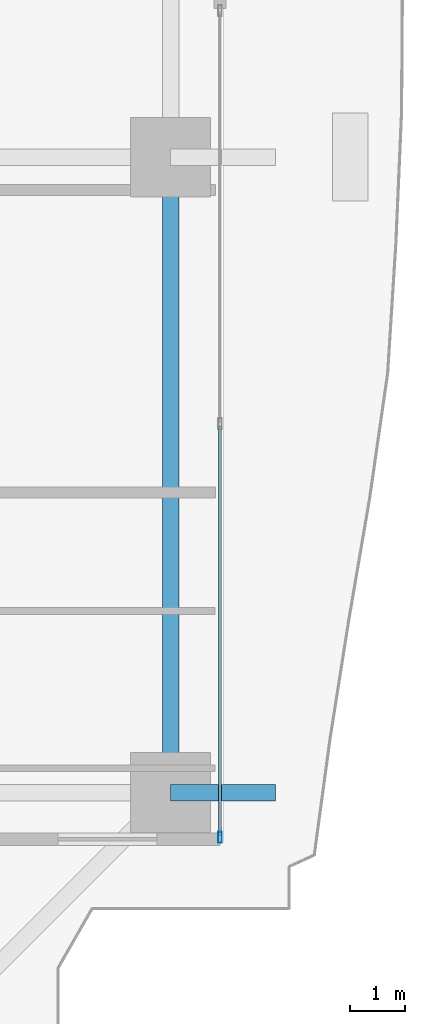
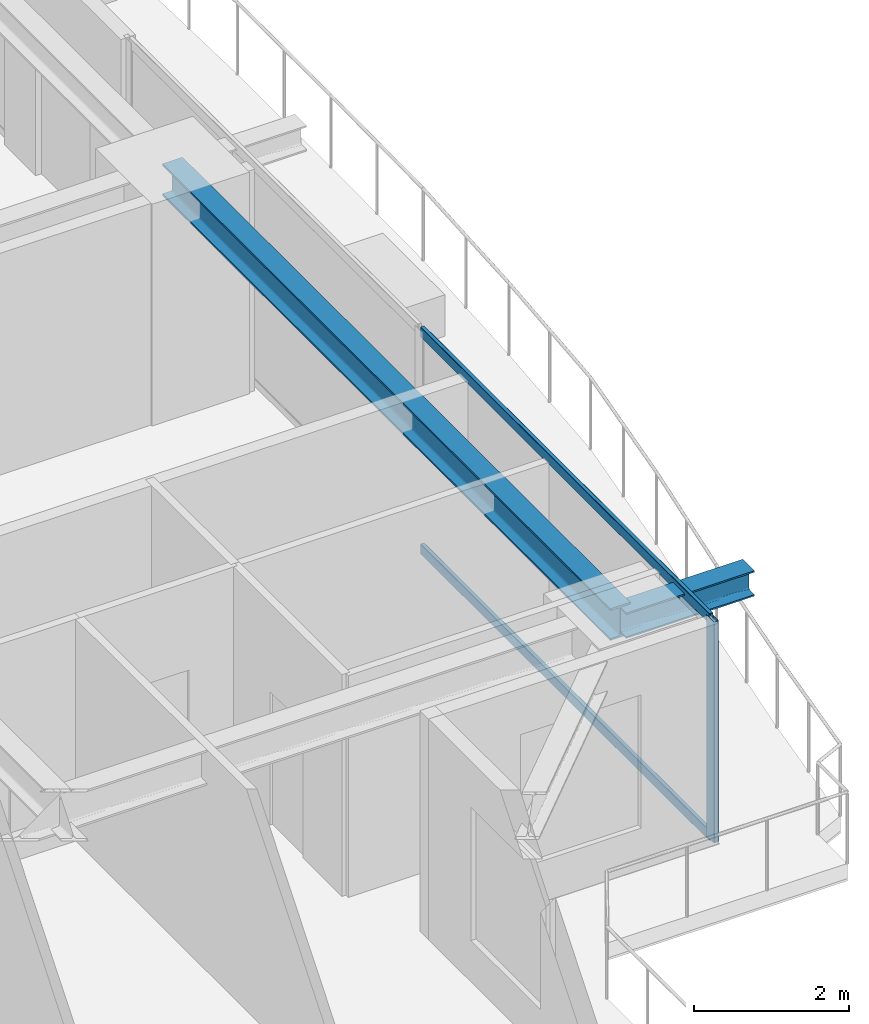
# One storey, part 12 of 38: 3 members, 2 beams, 1 element without a shape of its own.
"""IFC4 building model written with IfcOpenShell, lengths in metres."""

from ifc_helpers import new_model, si_unit, direction, frame, origin, origin_2d, place, context, subcontext, project, spatial, hollow_rectangle, i_section, extrude, source, transform, mapped, material, layer, layer_set, material_profile, profile_set, type_object, element, aggregate, save


model = new_model("IFC4")

# Units and contexts
model_context = context("Model", 3, precision=1e-05, world=origin(), true_north=direction((0.0, 1.0)))
body_context = subcontext(model_context, "Body", "Model", "MODEL_VIEW")
ifc_project = project(units=[si_unit("LENGTHUNIT", "METRE"), si_unit("AREAUNIT", "SQUARE_METRE"), si_unit("VOLUMEUNIT", "CUBIC_METRE"), si_unit("PLANEANGLEUNIT", "RADIAN"), si_unit("MASSUNIT", "GRAM", prefix="KILO")], contexts=[model_context])

# Site, building, storey
site_placement = place(None, origin())
site = spatial("IfcSite", under=ifc_project, at=site_placement, CompositionType="ELEMENT")
building_placement = place(site_placement, origin())
building = spatial("IfcBuilding", under=site, at=building_placement, Name="Serunith Strait Residences", CompositionType="ELEMENT")
storey_placement = place(building_placement, frame((0.0, 0.0, 67.949951171875)))
storey = spatial("IfcBuildingStorey", under=building, at=storey_placement, Name="L16", CompositionType="ELEMENT", Elevation=67.949951171875)

# Beams
ifc_material_1 = material(Name="Steel S355J2", Category="steel")
ifc_material_profile_1 = material_profile(ifc_material_1, i_section(OverallWidth=0.300048828125, OverallDepth=0.5, WebThickness=0.014404296875, FlangeThickness=0.028076171875, FilletRadius=0.027099609375, at=origin_2d()), Name="HEB 500")
ifc_profile_set_1 = profile_set([ifc_material_profile_1], Name="Steel S355J2")
beam_type_1 = type_object("IfcBeamType", Name="BM-HEB500", PredefinedType="BEAM", material=ifc_profile_set_1)
shared_shape_1 = source(origin(), body_context, "Body", "SweptSolid", [
    extrude(i_section(OverallWidth=0.300048828125, OverallDepth=0.5, WebThickness=0.014404296875, FlangeThickness=0.028076171875, FilletRadius=0.027099609375, at=origin_2d()), origin(), (0.0, 0.0, 1.0), 11.550048828125),
])
beam_1_placement = place(storey_placement, frame((57.89990234375, 9.449951171875, 3.237060546875), z_axis=(0.0, 1.0, 0.0), x_axis=(-1.0, 0.0, 0.0)))
element("IfcBeam", 1, at=beam_1_placement, inside=storey, type_object=beam_type_1, Name="L16 Perimeter Ring Beam 05", PredefinedType="BEAM", context=body_context, shape_type="MappedRepresentation", body=[
    mapped(shared_shape_1, transform((0.0, 0.0, 0.0), scale=1.0)),
])
ifc_material_profile_2 = material_profile(ifc_material_1, i_section(OverallWidth=0.300048828125, OverallDepth=0.39990234375, WebThickness=0.013427734375, FlangeThickness=0.02392578125, FilletRadius=0.027099609375, at=origin_2d()), Name="HEB 400")
ifc_profile_set_2 = profile_set([ifc_material_profile_2], Name="Steel S355J2")
beam_type_2 = type_object("IfcBeamType", Name="BM-HEB400", PredefinedType="BEAM", material=ifc_profile_set_2)
shared_shape_2 = source(origin(), body_context, "Body", "SweptSolid", [
    extrude(i_section(OverallWidth=0.300048828125, OverallDepth=0.39990234375, WebThickness=0.013427734375, FlangeThickness=0.02392578125, FilletRadius=0.027099609375, at=origin_2d()), origin(), (0.0, 0.0, 1.0), 1.91015625),
])
beam_2_placement = place(storey_placement, frame((57.89990234375, 9.449951171875, 3.257080078125), z_axis=(1.0, 0.0, 0.0), x_axis=(0.0, 1.0, 0.0)))
element("IfcBeam", 2, at=beam_2_placement, inside=storey, type_object=beam_type_2, Name="L17 Cantilevered Balcony Rib TC-E1", PredefinedType="BEAM", context=body_context, shape_type="MappedRepresentation", body=[
    mapped(shared_shape_2, transform((0.0, 0.0, 0.0), scale=1.0)),
])

# Curtain wall, members
ifc_material_2 = material(Name="Pale-Champagne Anodised Aluminium", Category="aluminium")
ifc_layer = layer(ifc_material_2, 0.199951171875, Name="Pale-Champagne Anodised Aluminium")
ifc_layer_set = layer_set([ifc_layer], Name="Pale-Champagne Anodised Aluminium")
curtain_wall_type = type_object("IfcCurtainWallType", Name="CW-SYS1", PredefinedType="NOTDEFINED", material=ifc_layer_set)
curtain_wall_placement = place(storey_placement, origin())
curtain_wall = element("IfcCurtainWall", 3, at=curtain_wall_placement, inside=storey, type_object=curtain_wall_type, Name="L16 E Unitised Fritted Curtain Wall", PredefinedType="NOTDEFINED")
ifc_material_profile_3 = material_profile(ifc_material_2, hollow_rectangle(XDim=0.070068359375, YDim=0.199951171875, WallThickness=0.00390625, InnerFilletRadius=0.006103515625, OuterFilletRadius=0.010009765625, at=origin_2d()), Name="ALU 200x70x4")
ifc_profile_set_3 = profile_set([ifc_material_profile_3], Name="Pale-Champagne Anodised Aluminium")
member_type_1 = type_object("IfcMemberType", Name="CW-SYS1-MULL", PredefinedType="MULLION", material=ifc_profile_set_3)
shared_shape_3 = source(origin(), body_context, "Body", "SweptSolid", [
    extrude(hollow_rectangle(XDim=0.070068359375, YDim=0.199951171875, WallThickness=0.00390625, InnerFilletRadius=0.006103515625, OuterFilletRadius=0.010009765625, at=origin_2d()), origin(), (0.0, 0.0, 1.0), 3.47509765625),
])
member_1_placement = place(storey_placement, frame((58.800048828125, 8.635009765625, 0.0), z_axis=(0.0, 0.0, 1.0), x_axis=(-1.0, 0.0, 0.0)))
member_1 = element("IfcMember", 4, at=member_1_placement, type_object=member_type_1, Name="CW-1 mullion 1", PredefinedType="MULLION", context=body_context, shape_type="MappedRepresentation", body=[
    mapped(shared_shape_3, transform((0.0, 0.0, 0.0), scale=1.0)),
])
ifc_material_profile_4 = material_profile(ifc_material_2, hollow_rectangle(XDim=0.06005859375, YDim=0.159912109375, WallThickness=0.00341796875, InnerFilletRadius=0.00537109375, OuterFilletRadius=0.0087890625, at=origin_2d()), Name="ALU 160x60x3.5")
ifc_profile_set_4 = profile_set([ifc_material_profile_4], Name="Pale-Champagne Anodised Aluminium")
member_type_2 = type_object("IfcMemberType", Name="CW-SYS1-TRAN", PredefinedType="USERDEFINED", material=ifc_profile_set_4)
shared_shape_4 = source(origin(), body_context, "Body", "SweptSolid", [
    extrude(hollow_rectangle(XDim=0.06005859375, YDim=0.159912109375, WallThickness=0.00341796875, InnerFilletRadius=0.00537109375, OuterFilletRadius=0.0087890625, at=origin_2d()), origin(), (0.0, 0.0, 1.0), 7.445068359375),
])
member_2_placement = place(storey_placement, frame((58.800048828125, 8.669921875, 0.030029296875), z_axis=(0.0, 1.0, 0.0), x_axis=(-1.0, 0.0, 0.0)))
member_2 = element("IfcMember", 5, at=member_2_placement, type_object=member_type_2, Name="CW-1 transom 1.1", ObjectType="TRANSOM", PredefinedType="USERDEFINED", context=body_context, shape_type="MappedRepresentation", body=[
    mapped(shared_shape_4, transform((0.0, 0.0, 0.0), scale=1.0)),
])
member_3_placement = place(storey_placement, frame((58.800048828125, 8.669921875, 3.445068359375), z_axis=(0.0, 1.0, 0.0), x_axis=(-1.0, 0.0, 0.0)))
member_3 = element("IfcMember", 6, at=member_3_placement, type_object=member_type_2, Name="CW-1 transom 1.2", ObjectType="TRANSOM", PredefinedType="USERDEFINED", context=body_context, shape_type="MappedRepresentation", body=[
    mapped(shared_shape_4, transform((0.0, 0.0, 0.0), scale=1.0)),
])
aggregate(curtain_wall, [member_1, member_2, member_3])

save(model, "model.ifc")
